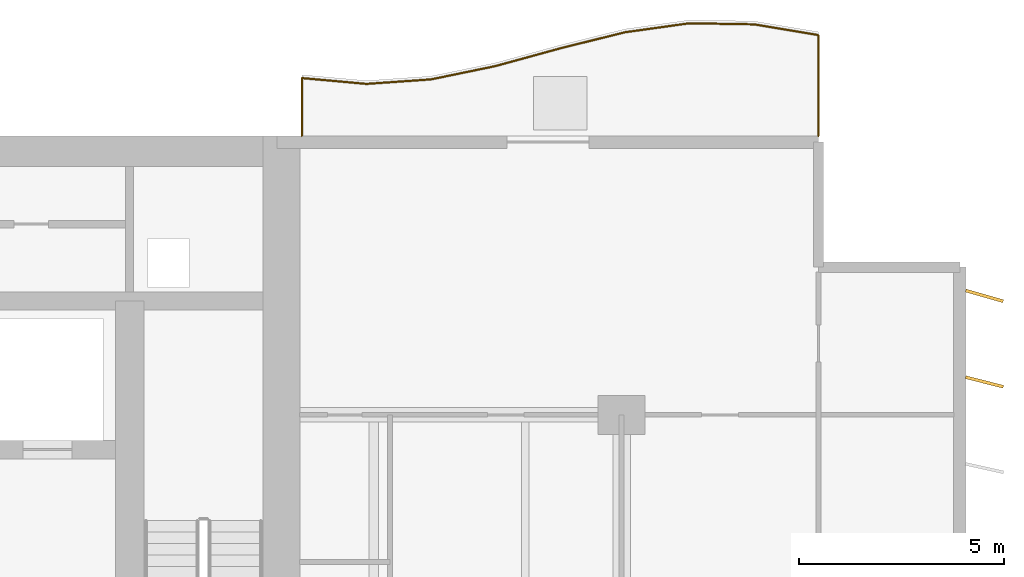
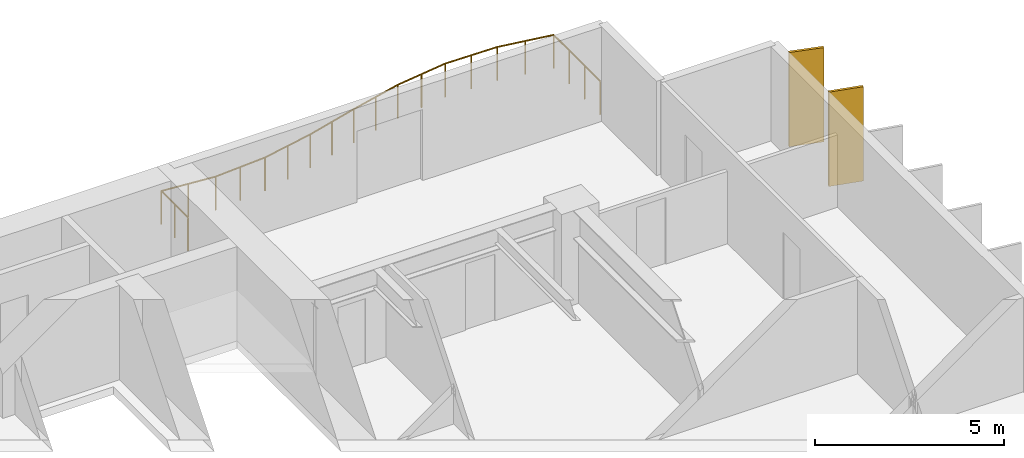
# One storey, part 18 of 18: 2 shading devices, 1 railing.
"""IFC4 building model written with IfcOpenShell, lengths in metres."""

from ifc_helpers import new_model, si_unit, direction, frame, origin, origin_2d, place, context, subcontext, project, spatial, rectangle, circle, extrude, material, material_profile, profile_set, type_object, element, save


model = new_model("IFC4")

# Units and contexts
model_context = context("Model", 3, precision=1e-05, world=origin(), true_north=direction((0.0, 1.0)))
body_context = subcontext(model_context, "Body", "Model", "MODEL_VIEW")
ifc_project = project(units=[si_unit("LENGTHUNIT", "METRE"), si_unit("AREAUNIT", "SQUARE_METRE"), si_unit("VOLUMEUNIT", "CUBIC_METRE"), si_unit("PLANEANGLEUNIT", "RADIAN"), si_unit("MASSUNIT", "GRAM", prefix="KILO")], contexts=[model_context])

# Site, building, storey
site_placement = place(None, origin())
site = spatial("IfcSite", under=ifc_project, at=site_placement, CompositionType="ELEMENT")
building_placement = place(site_placement, origin())
building = spatial("IfcBuilding", under=site, at=building_placement, Name="Caelmar Bay Residences", CompositionType="ELEMENT")
storey_placement = place(building_placement, frame((0.0, 0.0, 43.199951171875)))
storey = spatial("IfcBuildingStorey", under=building, at=storey_placement, Name="L10", CompositionType="ELEMENT", Elevation=43.199951171875)

# Railing
ifc_material_1 = material(Name="Anodised bronze handrail with laminated hurricane glass infill", Category="glass")
railing_type = type_object("IfcRailingType", Name="RL-BAL-1100", PredefinedType="BALUSTRADE", material=ifc_material_1)
railing_placement = place(storey_placement, frame((72.699951171875, 50.60009765625, 0.0)))
element("IfcRailing", 1, at=railing_placement, inside=storey, type_object=railing_type, Name="L10 north_east Balcony Balustrade", PredefinedType="BALUSTRADE", context=body_context, shape_type="SweptSolid", body=[
    extrude(circle(Radius=0.02392578125, at=origin_2d()), frame((0.0, 0.0, 1.076171875), z_axis=(0.0, 1.0, 0.0), x_axis=(-1.0, 0.0, 0.0)), (0.0, 0.0, 1.0), 2.460693359375),
    extrude(circle(Radius=0.02392578125, at=origin_2d()), frame((0.0, 2.460693359375, 1.076171875), z_axis=(-0.986373253557, 0.16452296091, 0.0), x_axis=(-0.16452296091, -0.986373253557, 0.0)), (0.0, 0.0, 1.0), 1.5966796875),
    extrude(circle(Radius=0.02392578125, at=origin_2d()), frame((-1.574951171875, 2.723388671875, 1.076171875), z_axis=(-0.999865029232, 0.016429343218, 0.0), x_axis=(-0.016429343218, -0.999865029232, 0.0)), (0.0, 0.0, 1.0), 1.5751953125),
    extrude(circle(Radius=0.02392578125, at=origin_2d()), frame((-3.14990234375, 2.749267578125, 1.076171875), z_axis=(-0.990365762787, -0.138476192534, 0.0), x_axis=(0.138476192534, -0.990365762787, 0.0)), (0.0, 0.0, 1.0), 1.59033203125),
    extrude(circle(Radius=0.02392578125, at=origin_2d()), frame((-4.724853515625, 2.529052734375, 1.076171875), z_axis=(-0.970424957925, -0.241402984729, 0.0), x_axis=(0.241402984729, -0.970424957925, 0.0)), (0.0, 0.0, 1.0), 1.623291015625),
    extrude(circle(Radius=0.02392578125, at=origin_2d()), frame((-6.300048828125, 2.13720703125, 1.076171875), z_axis=(-0.964473421299, -0.264179900083, 0.0), x_axis=(0.264179900083, -0.964473421299, 0.0)), (0.0, 0.0, 1.0), 1.633056640625),
    extrude(circle(Radius=0.02392578125, at=origin_2d()), frame((-7.875, 1.705810546875, 1.076171875), z_axis=(-0.97931127967, -0.202359624213, 0.0), x_axis=(0.202359624213, -0.97931127967, 0.0)), (0.0, 0.0, 1.0), 1.608154296875),
    extrude(circle(Radius=0.02392578125, at=origin_2d()), frame((-9.449951171875, 1.38037109375, 1.076171875), z_axis=(-0.997575849837, -0.069587526341, 0.0), x_axis=(0.069587526341, -0.997575849837, 0.0)), (0.0, 0.0, 1.0), 1.578857421875),
    extrude(circle(Radius=0.02392578125, at=origin_2d()), frame((-11.02490234375, 1.2705078125, 1.076171875), z_axis=(-0.995927302368, 0.090159904601, 0.0), x_axis=(-0.090159904601, -0.995927302368, 0.0)), (0.0, 0.0, 1.0), 1.581298828125),
    extrude(circle(Radius=0.02392578125, at=origin_2d()), frame((-12.599853515625, 1.4130859375, 1.076171875), z_axis=(0.0, -1.0, 0.0), x_axis=(1.0, 0.0, 0.0)), (0.0, 0.0, 1.0), 1.4130859375),
    extrude(circle(Radius=0.02099609375, at=origin_2d()), origin(), (0.0, 0.0, 1.0), 1.052001953125),
    extrude(circle(Radius=0.02099609375, at=origin_2d()), frame((0.0, 0.8203125, 0.0)), (0.0, 0.0, 1.0), 1.052001953125),
    extrude(circle(Radius=0.02099609375, at=origin_2d()), frame((0.0, 1.640380859375, 0.0)), (0.0, 0.0, 1.0), 1.052001953125),
    extrude(circle(Radius=0.02099609375, at=origin_2d()), frame((0.0, 2.460693359375, 0.0)), (0.0, 0.0, 1.0), 1.052001953125),
    extrude(circle(Radius=0.02099609375, at=origin_2d()), frame((-0.78759765625, 2.592041015625, 0.0)), (0.0, 0.0, 1.0), 1.052001953125),
    extrude(circle(Radius=0.02099609375, at=origin_2d()), frame((-1.574951171875, 2.723388671875, 0.0)), (0.0, 0.0, 1.0), 1.052001953125),
    extrude(circle(Radius=0.02099609375, at=origin_2d()), frame((-2.3623046875, 2.736328125, 0.0)), (0.0, 0.0, 1.0), 1.052001953125),
    extrude(circle(Radius=0.02099609375, at=origin_2d()), frame((-3.14990234375, 2.749267578125, 0.0)), (0.0, 0.0, 1.0), 1.052001953125),
    extrude(circle(Radius=0.02099609375, at=origin_2d()), frame((-3.9375, 2.63916015625, 0.0)), (0.0, 0.0, 1.0), 1.052001953125),
    extrude(circle(Radius=0.02099609375, at=origin_2d()), frame((-4.724853515625, 2.529052734375, 0.0)), (0.0, 0.0, 1.0), 1.052001953125),
    extrude(circle(Radius=0.02099609375, at=origin_2d()), frame((-5.512451171875, 2.3330078125, 0.0)), (0.0, 0.0, 1.0), 1.052001953125),
    extrude(circle(Radius=0.02099609375, at=origin_2d()), frame((-6.300048828125, 2.13720703125, 0.0)), (0.0, 0.0, 1.0), 1.052001953125),
    extrude(circle(Radius=0.02099609375, at=origin_2d()), frame((-7.08740234375, 1.92138671875, 0.0)), (0.0, 0.0, 1.0), 1.052001953125),
    extrude(circle(Radius=0.02099609375, at=origin_2d()), frame((-7.875, 1.705810546875, 0.0)), (0.0, 0.0, 1.0), 1.052001953125),
    extrude(circle(Radius=0.02099609375, at=origin_2d()), frame((-8.66259765625, 1.54296875, 0.0)), (0.0, 0.0, 1.0), 1.052001953125),
    extrude(circle(Radius=0.02099609375, at=origin_2d()), frame((-9.449951171875, 1.38037109375, 0.0)), (0.0, 0.0, 1.0), 1.052001953125),
    extrude(circle(Radius=0.02099609375, at=origin_2d()), frame((-10.2373046875, 1.325439453125, 0.0)), (0.0, 0.0, 1.0), 1.052001953125),
    extrude(circle(Radius=0.02099609375, at=origin_2d()), frame((-11.02490234375, 1.2705078125, 0.0)), (0.0, 0.0, 1.0), 1.052001953125),
    extrude(circle(Radius=0.02099609375, at=origin_2d()), frame((-11.8125, 1.341796875, 0.0)), (0.0, 0.0, 1.0), 1.052001953125),
    extrude(circle(Radius=0.02099609375, at=origin_2d()), frame((-12.599853515625, 1.4130859375, 0.0)), (0.0, 0.0, 1.0), 1.052001953125),
    extrude(circle(Radius=0.02099609375, at=origin_2d()), frame((-12.599853515625, 0.70654296875, 0.0)), (0.0, 0.0, 1.0), 1.052001953125),
    extrude(circle(Radius=0.02099609375, at=origin_2d()), frame((-12.599853515625, 0.0, 0.0)), (0.0, 0.0, 1.0), 1.052001953125),
])

# Shading devices
ifc_material_2 = material(Name="Anodised architectural bronze aluminium 6063-T6", Category="aluminium")
ifc_material_profile = material_profile(ifc_material_2, rectangle(XDim=0.074951171875, YDim=0.949951171875, at=origin_2d()), Name="BRONZE-FIN-75X950")
ifc_profile_set = profile_set([ifc_material_profile], Name="Anodised architectural bronze aluminium 6063-T6")
shading_device_type = type_object("IfcShadingDeviceType", Name="SHD-FIN-950", PredefinedType="USERDEFINED", material=ifc_profile_set)
for number, where, z_axis, x_axis, name in (
    (2, (76.75, 44.60009765625, 0.0), (0.0, 0.0, 1.0), (0.247337247968, 0.968929453452, 0.0), "L10 East Bronze Solar Fin 19"),
    (3, (76.75, 46.699951171875, 0.0), (0.0, 0.0, 1.0), (0.275637355817, 0.961261695938, 0.0), "L10 East Bronze Solar Fin 20"),
):
    element("IfcShadingDevice", number, at=place(storey_placement, frame(where, z_axis=z_axis, x_axis=x_axis)), inside=storey, type_object=shading_device_type, Name=name, ObjectType="FIN", PredefinedType="USERDEFINED", context=body_context, shape_type="SweptSolid", body=[
        extrude(rectangle(XDim=0.074951171875, YDim=0.949951171875, at=origin_2d()), origin(), (0.0, 0.0, 1.0), 3.050048828125),
    ])

save(model, "model.ifc")
